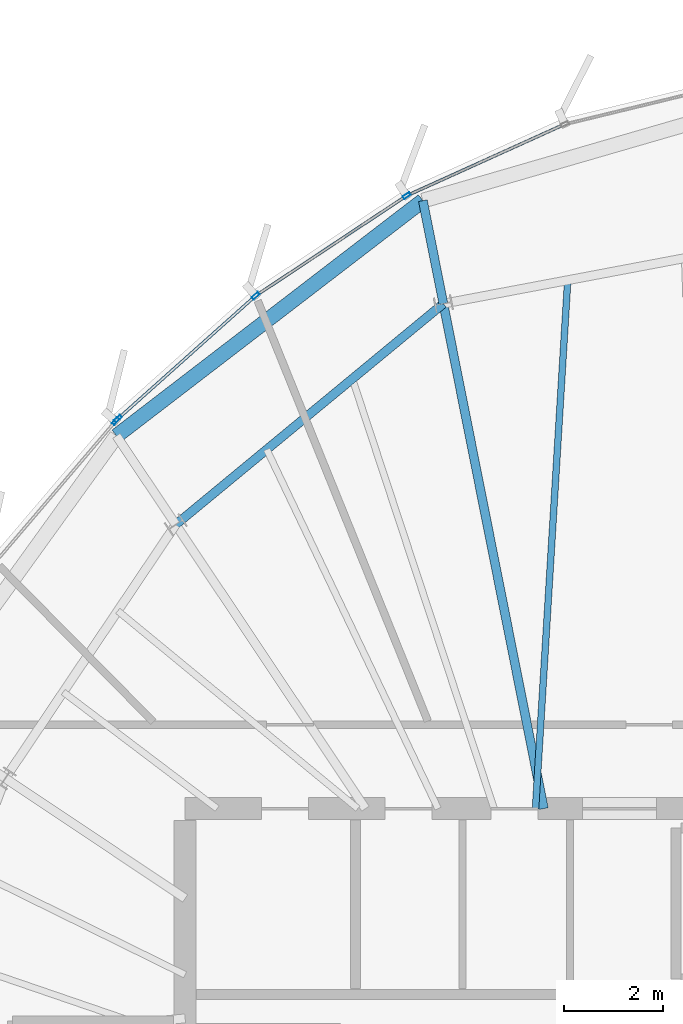
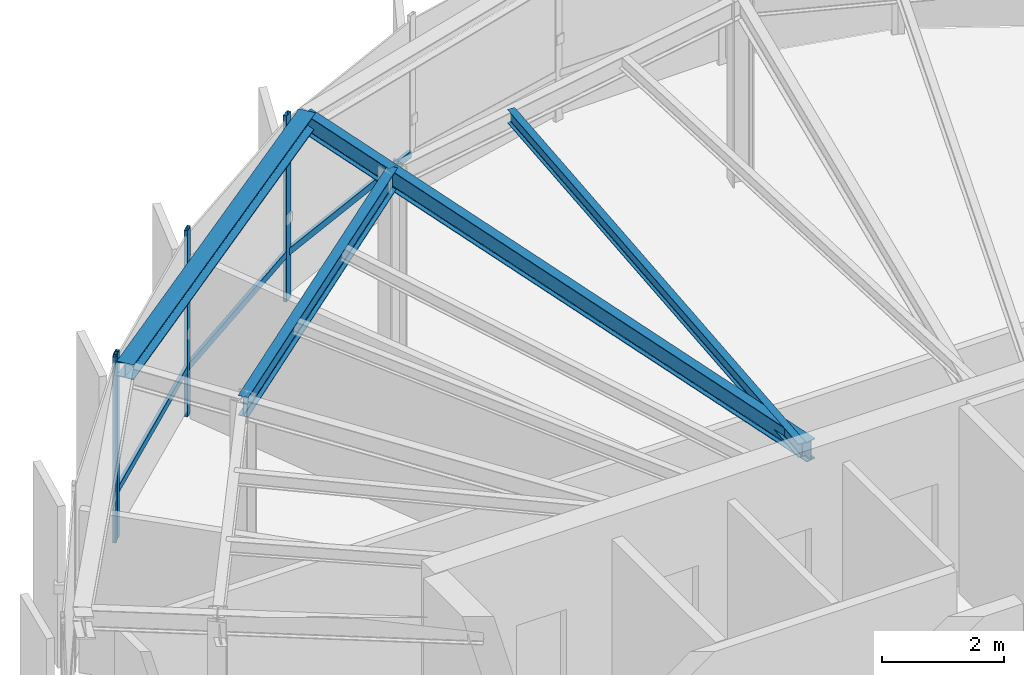
# One storey, part 15 of 27: 7 members, 5 beams, 2 elements without a shape of their own.
"""IFC4 building model written with IfcOpenShell, lengths in metres."""

from ifc_helpers import new_model, si_unit, direction, frame, origin, origin_2d, place, context, subcontext, project, spatial, hollow_rectangle, i_section, extrude, source, transform, mapped, material, layer, layer_set, material_profile, profile_set, type_object, element, aggregate, save


model = new_model("IFC4")

# Units and contexts
model_context = context("Model", 3, precision=1e-05, world=origin(), true_north=direction((0.0, 1.0)))
body_context = subcontext(model_context, "Body", "Model", "MODEL_VIEW")
ifc_project = project(units=[si_unit("LENGTHUNIT", "METRE"), si_unit("AREAUNIT", "SQUARE_METRE"), si_unit("VOLUMEUNIT", "CUBIC_METRE"), si_unit("PLANEANGLEUNIT", "RADIAN"), si_unit("MASSUNIT", "GRAM", prefix="KILO"), si_unit("THERMODYNAMICTEMPERATUREUNIT", "KELVIN")], contexts=[model_context])

# Site, building, storey
site_placement = place(None, origin())
site = spatial("IfcSite", under=ifc_project, at=site_placement, CompositionType="ELEMENT")
building_placement = place(site_placement, origin())
building = spatial("IfcBuilding", under=site, at=building_placement, Name="Kethvar Cultural Tower", CompositionType="ELEMENT")
storey_placement = place(building_placement, frame((0.0, 0.0, 312.300048828125)))
storey = spatial("IfcBuildingStorey", under=building, at=storey_placement, Name="L83", CompositionType="ELEMENT", Elevation=312.300048828125)

# Beams
ifc_material_1 = material(Name="Steel S355J2", Category="steel")
ifc_material_profile_1 = material_profile(ifc_material_1, i_section(OverallWidth=0.135009765625, OverallDepth=0.27001953125, WebThickness=0.006591796875, FlangeThickness=0.01025390625, FilletRadius=0.014892578125, at=origin_2d()), Name="Steel S355J2 — IPE270")
ifc_profile_set_1 = profile_set([ifc_material_profile_1], Name="Steel S355J2 — IPE270")
beam_type_1 = type_object("IfcBeamType", Name="BM-J270", PredefinedType="JOIST", material=ifc_profile_set_1)
shared_shape_1 = source(origin(), body_context, "Body", "SweptSolid", [
    extrude(i_section(OverallWidth=0.135009765625, OverallDepth=0.27001953125, WebThickness=0.006591796875, FlangeThickness=0.01025390625, FilletRadius=0.014892578125, at=origin_2d()), origin(), (0.0, 0.0, 1.0), 10.727783203125),
])
beam_1_placement = place(storey_placement, frame((45.10009765625, 35.5, 3.597900390625), z_axis=(0.060876395586, 0.998145312297, 0.0), x_axis=(-0.998145312297, 0.060876395586, 0.0)))
element("IfcBeam", 1, at=beam_1_placement, inside=storey, type_object=beam_type_1, Name="L83 Composite Floor Joist J-04B", PredefinedType="JOIST", context=body_context, shape_type="MappedRepresentation", body=[
    mapped(shared_shape_1, transform((0.0, 0.0, 0.0), scale=1.0)),
])
ifc_material_profile_2 = material_profile(ifc_material_1, i_section(OverallWidth=0.179931640625, OverallDepth=0.39990234375, WebThickness=0.008544921875, FlangeThickness=0.013427734375, FilletRadius=0.02099609375, at=origin_2d()), Name="Steel S355J2 — IPE400")
ifc_profile_set_2 = profile_set([ifc_material_profile_2], Name="Steel S355J2 — IPE400")
beam_type_2 = type_object("IfcBeamType", Name="BM-IPE400", PredefinedType="BEAM", material=ifc_profile_set_2)
shared_shape_2 = source(origin(), body_context, "Body", "SweptSolid", [
    extrude(i_section(OverallWidth=0.179931640625, OverallDepth=0.39990234375, WebThickness=0.008544921875, FlangeThickness=0.013427734375, FilletRadius=0.02099609375, at=origin_2d()), origin(), (0.0, 0.0, 1.0), 10.432861328125),
])
beam_2_placement = place(storey_placement, frame((45.268310546875, 35.5, 3.532958984375), z_axis=(-0.195094483249, 0.980784452673, 0.0), x_axis=(-0.980784452673, -0.195094483249, 0.0)))
element("IfcBeam", 2, at=beam_2_placement, inside=storey, type_object=beam_type_2, Name="L83 Primary Radial Beam RB-05", PredefinedType="BEAM", context=body_context, shape_type="MappedRepresentation", body=[
    mapped(shared_shape_2, transform((0.0, 0.0, 0.0), scale=1.0)),
])
shared_shape_3 = source(origin(), body_context, "Body", "SweptSolid", [
    extrude(i_section(OverallWidth=0.179931640625, OverallDepth=0.39990234375, WebThickness=0.008544921875, FlangeThickness=0.013427734375, FilletRadius=0.02099609375, at=origin_2d()), origin(), (0.0, 0.0, 1.0), 7.03271484375),
])
beam_3_placement = place(storey_placement, frame((43.23291015625, 45.732421875, 3.532958984375), z_axis=(-0.771161072103, -0.636640087391, 0.0), x_axis=(0.636640087391, -0.771161072103, 0.0)))
element("IfcBeam", 3, at=beam_3_placement, inside=storey, type_object=beam_type_2, Name="L83 Column Ring Tie Beam CR-05", PredefinedType="BEAM", context=body_context, shape_type="MappedRepresentation", body=[
    mapped(shared_shape_3, transform((0.0, 0.0, 0.0), scale=1.0)),
])
shared_shape_4 = source(origin(), body_context, "Body", "SweptSolid", [
    extrude(i_section(OverallWidth=0.179931640625, OverallDepth=0.39990234375, WebThickness=0.008544921875, FlangeThickness=0.013427734375, FilletRadius=0.02099609375, at=origin_2d()), origin(), (0.0, 0.0, 1.0), 2.12890625),
])
beam_4_placement = place(storey_placement, frame((43.23291015625, 45.732421875, 3.532958984375), z_axis=(-0.195079448201, 0.980787443277, 0.0), x_axis=(-0.980787443277, -0.195079448201, 0.0)))
element("IfcBeam", 4, at=beam_4_placement, inside=storey, type_object=beam_type_2, Name="L83 Perimeter Cantilever Beam RC-05", PredefinedType="BEAM", context=body_context, shape_type="MappedRepresentation", body=[
    mapped(shared_shape_4, transform((0.0, 0.0, 0.0), scale=1.0)),
])
ifc_material_profile_3 = material_profile(ifc_material_1, i_section(OverallWidth=0.300048828125, OverallDepth=0.300048828125, WebThickness=0.010986328125, FlangeThickness=0.01904296875, FilletRadius=0.027099609375, at=origin_2d()), Name="Steel S355J2 — HEB300")
ifc_profile_set_3 = profile_set([ifc_material_profile_3], Name="Steel S355J2 — HEB300")
beam_type_3 = type_object("IfcBeamType", Name="BM-SP300", PredefinedType="SPANDREL", material=ifc_profile_set_3)
shared_shape_5 = source(origin(), body_context, "Body", "SweptSolid", [
    extrude(i_section(OverallWidth=0.300048828125, OverallDepth=0.300048828125, WebThickness=0.010986328125, FlangeThickness=0.01904296875, FilletRadius=0.027099609375, at=origin_2d()), origin(), (0.0, 0.0, 1.0), 7.828369140625),
])
beam_5_placement = place(storey_placement, frame((42.817626953125, 47.8203125, 3.5830078125), z_axis=(-0.793137301145, -0.609042873312, 0.0), x_axis=(0.609042873312, -0.793137301145, 0.0)))
element("IfcBeam", 5, at=beam_5_placement, inside=storey, type_object=beam_type_3, Name="L83 Perimeter Spandrel Beam SP-05", PredefinedType="SPANDREL", context=body_context, shape_type="MappedRepresentation", body=[
    mapped(shared_shape_5, transform((0.0, 0.0, 0.0), scale=1.0)),
])

# Curtain wall, members
ifc_material_2 = material(Name="Aluminium 6063-T6", Category="aluminium")
ifc_layer = layer(ifc_material_2, 0.179931640625, Name="Aluminium 6063-T6", Category="aluminium")
ifc_layer_set = layer_set([ifc_layer], Name="Aluminium 6063-T6 (180 mm)")
curtain_wall_type = type_object("IfcCurtainWallType", Name="CW-SYS-06-CROWN", PredefinedType="NOTDEFINED", material=ifc_layer_set)
curtain_wall_1_placement = place(storey_placement, origin())
curtain_wall_1 = element("IfcCurtainWall", 6, at=curtain_wall_1_placement, inside=storey, type_object=curtain_wall_type, Name="L83 Curtain Wall Run 01", PredefinedType="NOTDEFINED")
ifc_material_profile_4 = material_profile(ifc_material_2, hollow_rectangle(XDim=0.06494140625, YDim=0.159912109375, WallThickness=0.0048828125, at=origin_2d()), Name="Aluminium 6063-T6 — RHS160x65x5")
ifc_profile_set_4 = profile_set([ifc_material_profile_4], Name="Aluminium 6063-T6 — RHS160x65x5")
member_type_1 = type_object("IfcMemberType", Name="CW-SYS-06-CROWN-MUL", PredefinedType="MULLION", material=ifc_profile_set_4)
shared_shape_6 = source(origin(), body_context, "Body", "SweptSolid", [
    extrude(hollow_rectangle(XDim=0.06494140625, YDim=0.159912109375, WallThickness=0.0048828125, at=origin_2d()), origin(), (0.0, 0.0, 1.0), 3.73486328125),
])
member_1_placement = place(storey_placement, frame((42.490234375, 47.921630859375, 0.0), z_axis=(0.0, 0.0, 1.0), x_axis=(0.552635386098, -0.833423139847, 0.0)))
member_1 = element("IfcMember", 7, at=member_1_placement, type_object=member_type_1, Name="CW-L83-R01 Mullion 5", PredefinedType="MULLION", context=body_context, shape_type="MappedRepresentation", body=[
    mapped(shared_shape_6, transform((0.0, 0.0, 0.0), scale=1.0)),
])
member_2_placement = place(storey_placement, frame((39.42919921875, 45.893310546875, 0.0), z_axis=(0.0, 0.0, 1.0), x_axis=(0.666194115357, -0.745778385758, 0.0)))
member_2 = element("IfcMember", 8, at=member_2_placement, type_object=member_type_1, Name="CW-L83-R01 Mullion 6", PredefinedType="MULLION", context=body_context, shape_type="MappedRepresentation", body=[
    mapped(shared_shape_6, transform((0.0, 0.0, 0.0), scale=1.0)),
])
member_3_placement = place(storey_placement, frame((36.63916015625, 43.40087890625, 0.0), z_axis=(0.0, 0.0, 1.0), x_axis=(0.666194115357, -0.745778385758, 0.0)))
member_3 = element("IfcMember", 9, at=member_3_placement, type_object=member_type_1, Name="CW-L83-R01 Mullion 7", PredefinedType="MULLION", context=body_context, shape_type="MappedRepresentation", body=[
    mapped(shared_shape_6, transform((0.0, 0.0, 0.0), scale=1.0)),
])

# Curtain wall, member
curtain_wall_2_placement = place(storey_placement, origin())
curtain_wall_2 = element("IfcCurtainWall", 10, at=curtain_wall_2_placement, inside=storey, type_object=curtain_wall_type, Name="L83 Curtain Wall Run 02", PredefinedType="NOTDEFINED")
member_4_placement = place(storey_placement, frame((36.591552734375, 43.352294921875, 0.0), z_axis=(0.0, 0.0, 1.0), x_axis=(0.760904481628, -0.648863907024, 0.0)))
member_4 = element("IfcMember", 11, at=member_4_placement, type_object=member_type_1, Name="CW-L83-R02 Mullion 1", PredefinedType="MULLION", context=body_context, shape_type="MappedRepresentation", body=[
    mapped(shared_shape_6, transform((0.0, 0.0, 0.0), scale=1.0)),
])
aggregate(curtain_wall_2, [member_4])

# Member
ifc_material_profile_5 = material_profile(ifc_material_2, hollow_rectangle(XDim=0.06005859375, YDim=0.139892578125, WallThickness=0.0048828125, at=origin_2d()), Name="Aluminium 6063-T6 — RHS140x60x5")
ifc_profile_set_5 = profile_set([ifc_material_profile_5], Name="Aluminium 6063-T6 — RHS140x60x5")
member_type_2 = type_object("IfcMemberType", Name="CW-SYS-06-CROWN-TRN", PredefinedType="USERDEFINED", material=ifc_profile_set_5)
shared_shape_7 = source(origin(), body_context, "Body", "SweptSolid", [
    extrude(hollow_rectangle(XDim=0.06005859375, YDim=0.139892578125, WallThickness=0.0048828125, at=origin_2d()), origin(), (0.0, 0.0, 1.0), 3.44091796875),
])
member_5_placement = place(storey_placement, frame((45.65087890625, 49.3505859375, 0.949951171875), z_axis=(-0.911016548388, -0.41236979589, 0.0), x_axis=(0.41236979589, -0.911016548388, 0.0)))
member_5 = element("IfcMember", 12, at=member_5_placement, type_object=member_type_2, Name="CW-L83-R01 Transom 4", ObjectType="TRANSOM", PredefinedType="USERDEFINED", context=body_context, shape_type="MappedRepresentation", body=[
    mapped(shared_shape_7, transform((0.0, 0.0, 0.0), scale=1.0)),
])

shared_shape_8 = source(origin(), body_context, "Body", "SweptSolid", [
    extrude(hollow_rectangle(XDim=0.06005859375, YDim=0.139892578125, WallThickness=0.0048828125, at=origin_2d()), origin(), (0.0, 0.0, 1.0), 3.595703125),
])
member_6_placement = place(storey_placement, frame((42.451416015625, 47.895751953125, 0.949951171875), z_axis=(-0.833436963911, -0.552614537619, 0.0), x_axis=(0.552614537619, -0.833436963911, 0.0)))
member_6 = element("IfcMember", 13, at=member_6_placement, type_object=member_type_2, Name="CW-L83-R01 Transom 5", ObjectType="TRANSOM", PredefinedType="USERDEFINED", context=body_context, shape_type="MappedRepresentation", body=[
    mapped(shared_shape_8, transform((0.0, 0.0, 0.0), scale=1.0)),
])

shared_shape_9 = source(origin(), body_context, "Body", "SweptSolid", [
    extrude(hollow_rectangle(XDim=0.06005859375, YDim=0.139892578125, WallThickness=0.0048828125, at=origin_2d()), origin(), (0.0, 0.0, 1.0), 3.68994140625),
])
member_7_placement = place(storey_placement, frame((39.394287109375, 45.862060546875, 0.949951171875), z_axis=(-0.745815555516, -0.666152502922, 0.0), x_axis=(0.666152502922, -0.745815555516, 0.0)))
member_7 = element("IfcMember", 14, at=member_7_placement, type_object=member_type_2, Name="CW-L83-R01 Transom 6", ObjectType="TRANSOM", PredefinedType="USERDEFINED", context=body_context, shape_type="MappedRepresentation", body=[
    mapped(shared_shape_9, transform((0.0, 0.0, 0.0), scale=1.0)),
])

aggregate(curtain_wall_1, [member_1, member_2, member_3, member_5, member_6, member_7])

save(model, "model.ifc")
